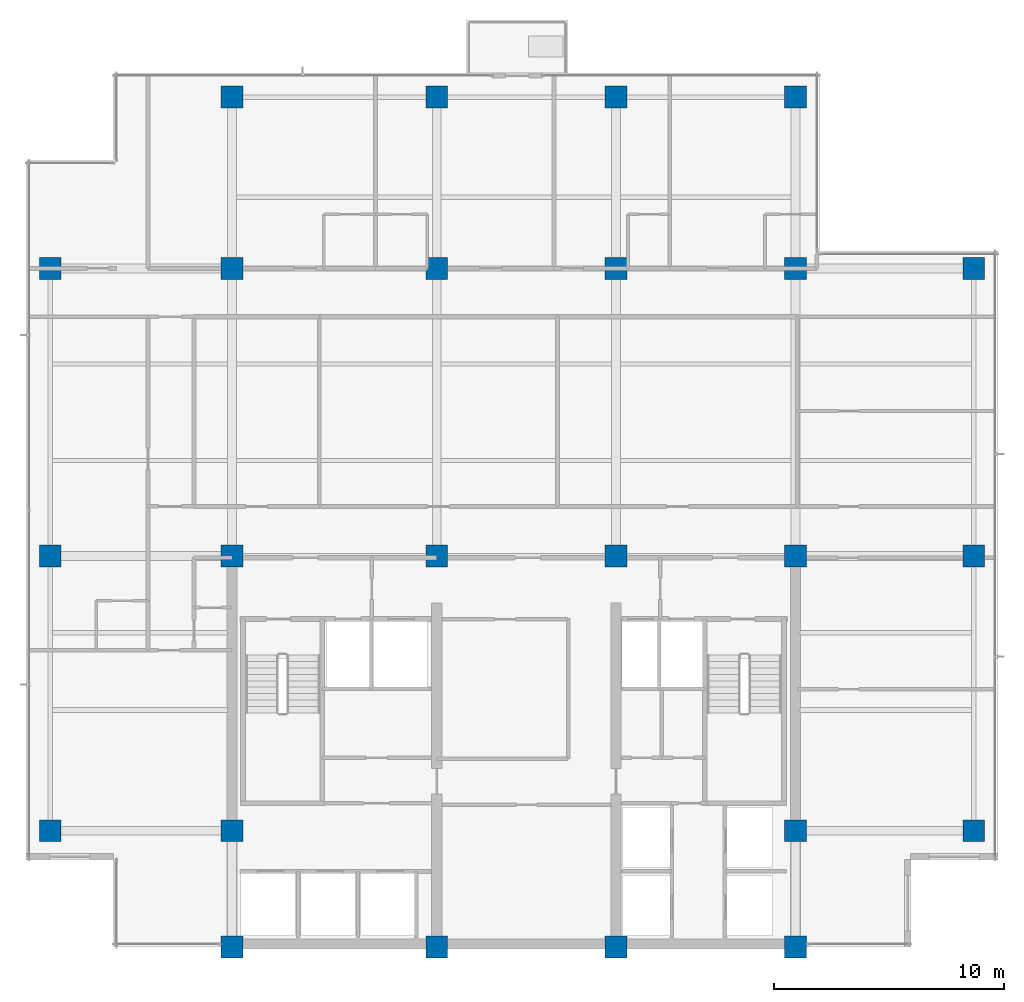
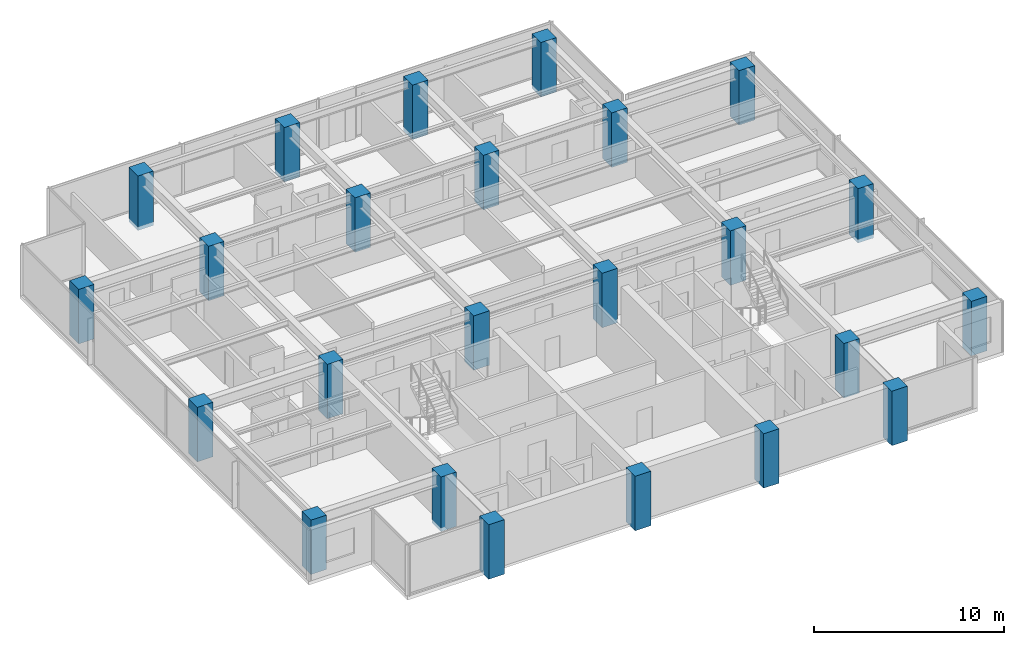
# One storey, part 1 of 15: 24 columns.
"""IFC4 building model written with IfcOpenShell, lengths in metres."""

from ifc_helpers import new_model, si_unit, direction, frame, origin, origin_2d, place, context, subcontext, project, spatial, rectangle, extrude, material, material_profile, profile_set, type_object, element, save


model = new_model("IFC4")

# Units and contexts
model_context = context("Model", 3, precision=1e-05, world=origin(), true_north=direction((0.0, 1.0)))
body_context = subcontext(model_context, "Body", "Model", "MODEL_VIEW")
ifc_project = project(units=[si_unit("LENGTHUNIT", "METRE"), si_unit("AREAUNIT", "SQUARE_METRE"), si_unit("VOLUMEUNIT", "CUBIC_METRE"), si_unit("PLANEANGLEUNIT", "RADIAN"), si_unit("MASSUNIT", "GRAM", prefix="KILO")], contexts=[model_context])

# Site, building, storey
site_placement = place(None, origin())
site = spatial("IfcSite", under=ifc_project, at=site_placement, CompositionType="ELEMENT")
building_placement = place(site_placement, origin())
building = spatial("IfcBuilding", under=site, at=building_placement, Name="Qalmaran Belvedere Hotel", CompositionType="ELEMENT")
storey_placement = place(building_placement, frame((0.0, 0.0, 231.89990234375)))
storey = spatial("IfcBuildingStorey", under=building, at=storey_placement, Name="L59", CompositionType="ELEMENT", Elevation=231.89990234375)

# Columns
ifc_material = material(Name="Concrete C50/60", Category="concrete")
ifc_material_profile = material_profile(ifc_material, rectangle(XDim=0.949951171875, YDim=0.949951171875, at=origin_2d()), Name="CC950X950")
ifc_profile_set = profile_set([ifc_material_profile], Name="Concrete C50/60")
column_type = type_object("IfcColumnType", Name="COL-Z4-CC950", PredefinedType="COLUMN", material=ifc_profile_set)
for number, where, z_axis, x_axis, name in (
    (1, (20.300048828125, 3.5, -0.239990234375), (0.0, 0.0, 1.0), (1.0, 0.0, 0.0), "L59 Column C4B"),
    (2, (29.199951171875, 3.5, -0.239990234375), (0.0, 0.0, 1.0), (1.0, 0.0, 0.0), "L59 Column C5B"),
    (3, (37.0, 3.5, -0.239990234375), (0.0, 0.0, 1.0), (1.0, 0.0, 0.0), "L59 Column C6B"),
    (4, (44.800048828125, 3.5, -0.239990234375), (0.0, 0.0, 1.0), (1.0, 0.0, 0.0), "L59 Column C7B"),
    (5, (20.300048828125, 8.550048828125, -0.239990234375), (0.0, 0.0, 1.0), (1.0, 0.0, 0.0), "L59 Column C4C"),
    (6, (44.800048828125, 8.550048828125, -0.239990234375), (0.0, 0.0, 1.0), (1.0, 0.0, 0.0), "L59 Column C7C"),
    (7, (20.300048828125, 20.5, -0.239990234375), (0.0, 0.0, 1.0), (1.0, 0.0, 0.0), "L59 Column C4D"),
    (8, (29.199951171875, 20.5, -0.239990234375), (0.0, 0.0, 1.0), (1.0, 0.0, 0.0), "L59 Column C5D"),
    (9, (37.0, 20.5, -0.239990234375), (0.0, 0.0, 1.0), (1.0, 0.0, 0.0), "L59 Column C6D"),
    (10, (44.800048828125, 20.5, -0.239990234375), (0.0, 0.0, 1.0), (1.0, 0.0, 0.0), "L59 Column C7D"),
    (11, (20.300048828125, 33.0, -0.239990234375), (0.0, 0.0, 1.0), (1.0, 0.0, 0.0), "L59 Column C4F"),
    (12, (29.199951171875, 33.0, -0.239990234375), (0.0, 0.0, 1.0), (1.0, 0.0, 0.0), "L59 Column C5F"),
    (13, (37.0, 33.0, -0.239990234375), (0.0, 0.0, 1.0), (1.0, 0.0, 0.0), "L59 Column C6F"),
    (14, (44.800048828125, 33.0, -0.239990234375), (0.0, 0.0, 1.0), (1.0, 0.0, 0.0), "L59 Column C7F"),
    (15, (12.39990234375, 8.550048828125, -0.239990234375), (0.0, 0.0, 1.0), (1.0, 0.0, 0.0), "L59 Column CW1"),
    (16, (12.39990234375, 20.5, -0.239990234375), (0.0, 0.0, 1.0), (1.0, 0.0, 0.0), "L59 Column CW3"),
    (17, (12.39990234375, 33.0, -0.239990234375), (0.0, 0.0, 1.0), (1.0, 0.0, 0.0), "L59 Column CW4"),
    (18, (52.550048828125, 8.550048828125, -0.239990234375), (0.0, 0.0, 1.0), (1.0, 0.0, 0.0), "L59 Column CE1"),
    (19, (52.550048828125, 20.5, -0.239990234375), (0.0, 0.0, 1.0), (1.0, 0.0, 0.0), "L59 Column CE3"),
    (20, (52.550048828125, 33.0, -0.239990234375), (0.0, 0.0, 1.0), (1.0, 0.0, 0.0), "L59 Column CE4"),
    (21, (20.300048828125, 40.449951171875, -0.239990234375), (0.0, 0.0, 1.0), (1.0, 0.0, 0.0), "L59 Column CN1"),
    (22, (29.199951171875, 40.449951171875, -0.239990234375), (0.0, 0.0, 1.0), (1.0, 0.0, 0.0), "L59 Column CN2"),
    (23, (37.0, 40.449951171875, -0.239990234375), (0.0, 0.0, 1.0), (1.0, 0.0, 0.0), "L59 Column CN3"),
    (24, (44.800048828125, 40.449951171875, -0.239990234375), (0.0, 0.0, 1.0), (1.0, 0.0, 0.0), "L59 Column CN4"),
):
    element("IfcColumn", number, at=place(storey_placement, frame(where, z_axis=z_axis, x_axis=x_axis)), inside=storey, type_object=column_type, Name=name, PredefinedType="COLUMN", context=body_context, shape_type="SweptSolid", body=[
        extrude(rectangle(XDim=0.949951171875, YDim=0.949951171875, at=origin_2d()), origin(), (0.0, 0.0, 1.0), 3.5),
    ])

save(model, "model.ifc")
